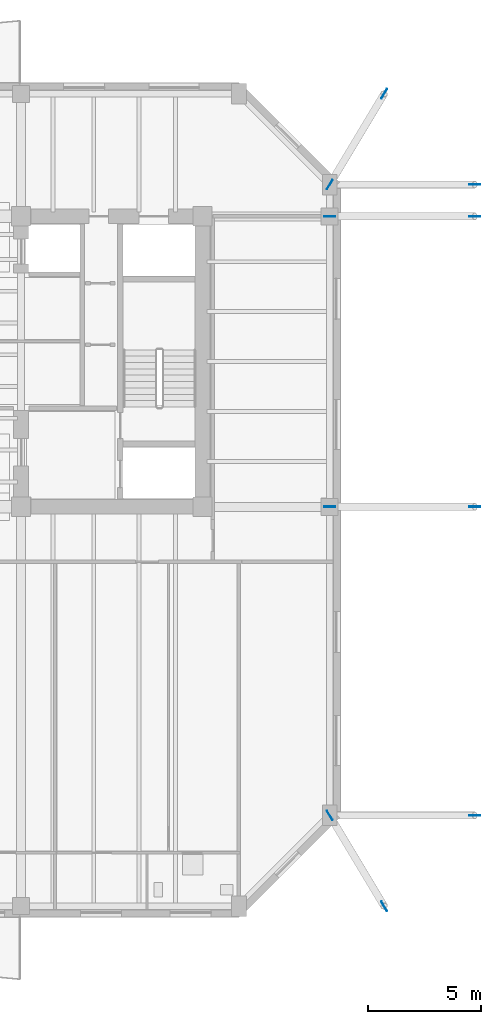
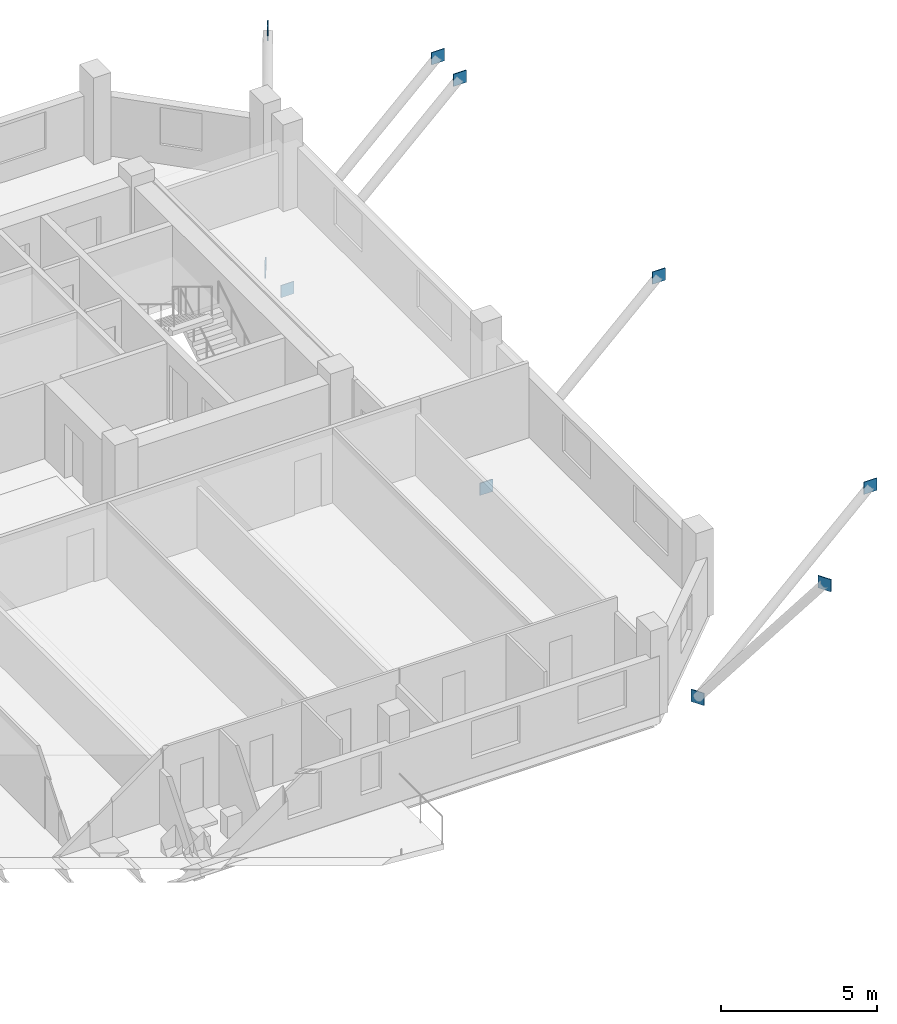
# One storey, part 3 of 12: 10 plates.
"""IFC4 building model written with IfcOpenShell, lengths in metres."""

from ifc_helpers import new_model, si_unit, direction, frame, origin, origin_2d, place, context, subcontext, project, spatial, rectangle, extrude, material, layer, layer_set, type_object, element, save


model = new_model("IFC4")

# Units and contexts
model_context = context("Model", 3, precision=1e-05, world=origin(), true_north=direction((0.0, 1.0)))
body_context = subcontext(model_context, "Body", "Model", "MODEL_VIEW")
ifc_project = project(units=[si_unit("LENGTHUNIT", "METRE"), si_unit("AREAUNIT", "SQUARE_METRE"), si_unit("VOLUMEUNIT", "CUBIC_METRE"), si_unit("PLANEANGLEUNIT", "RADIAN"), si_unit("MASSUNIT", "GRAM", prefix="KILO")], contexts=[model_context])

# Site, building, storey
site_placement = place(None, origin())
site = spatial("IfcSite", under=ifc_project, at=site_placement, CompositionType="ELEMENT")
building_placement = place(site_placement, origin())
building = spatial("IfcBuilding", under=site, at=building_placement, Name="Kranthara Brick Stack", CompositionType="ELEMENT")
storey_placement = place(building_placement, frame((0.0, 0.0, 224.5)))
storey = spatial("IfcBuildingStorey", under=building, at=storey_placement, Name="L58", CompositionType="ELEMENT", Elevation=224.5)

# Plates
ifc_material = material(Name="Steel S355", Category="steel")
ifc_layer = layer(ifc_material, 0.030029296875)
ifc_layer_set = layer_set([ifc_layer], Name="Steel S355")
plate_type = type_object("IfcPlateType", Name="PLT-GUSSET-30", PredefinedType="USERDEFINED", material=ifc_layer_set)
for number, where, z_axis, x_axis, name in (
    (1, (48.800048828125, 7.199951171875, -3.639892578125), (0.0, 0.0, 1.0), (-0.51503807491, 0.857167300702, 0.0), "L58 Brace and Strut End Connection Gusset Plate 101"),
    (2, (51.199951171875, 3.199951171875, 2.409912109375), (0.0, 0.0, 1.0), (-0.51503807491, 0.857167300702, 0.0), "L58 Brace and Strut End Connection Gusset Plate 102"),
    (3, (48.800048828125, 35.0, -3.639892578125), (0.0, 0.0, 1.0), (0.51503807491, 0.857167300702, 0.0), "L58 Brace and Strut End Connection Gusset Plate 103"),
    (4, (51.199951171875, 39.0, 2.409912109375), (0.0, 0.0, 1.0), (0.51503807491, 0.857167300702, 0.0), "L58 Brace and Strut End Connection Gusset Plate 104"),
    (5, (55.199951171875, 7.199951171875, 2.409912109375), (0.0, 0.0, 1.0), (1.0, 0.0, 0.0), "L58 Brace and Strut End Connection Gusset Plate 105"),
    (6, (48.800048828125, 20.800048828125, -3.639892578125), (0.0, 0.0, 1.0), (1.0, 0.0, 0.0), "L58 Brace and Strut End Connection Gusset Plate 106"),
    (7, (55.199951171875, 20.800048828125, 2.409912109375), (0.0, 0.0, 1.0), (1.0, 0.0, 0.0), "L58 Brace and Strut End Connection Gusset Plate 107"),
    (8, (48.800048828125, 33.60009765625, -3.639892578125), (0.0, 0.0, 1.0), (1.0, 0.0, 0.0), "L58 Brace and Strut End Connection Gusset Plate 108"),
    (9, (55.199951171875, 33.60009765625, 2.409912109375), (0.0, 0.0, 1.0), (1.0, 0.0, 0.0), "L58 Brace and Strut End Connection Gusset Plate 109"),
    (10, (55.199951171875, 35.0, 2.409912109375), (0.0, 0.0, 1.0), (1.0, 0.0, 0.0), "L58 Brace and Strut End Connection Gusset Plate 110"),
):
    element("IfcPlate", number, at=place(storey_placement, frame(where, z_axis=z_axis, x_axis=x_axis)), inside=storey, type_object=plate_type, Name=name, ObjectType="GUSSET PLATE", PredefinedType="USERDEFINED", context=body_context, shape_type="SweptSolid", body=[
        extrude(rectangle(XDim=0.47998046875, YDim=0.030029296875, at=origin_2d()), origin(), (0.0, 0.0, 1.0), 0.47998046875),
    ])

save(model, "model.ifc")
